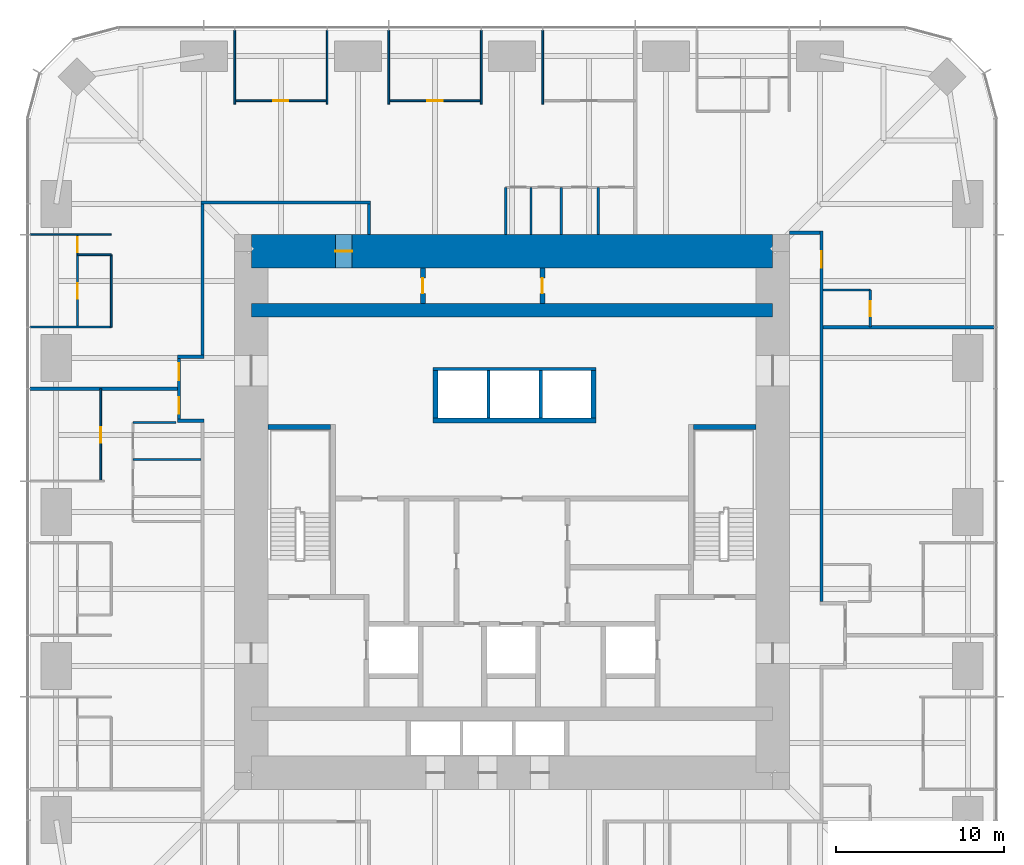
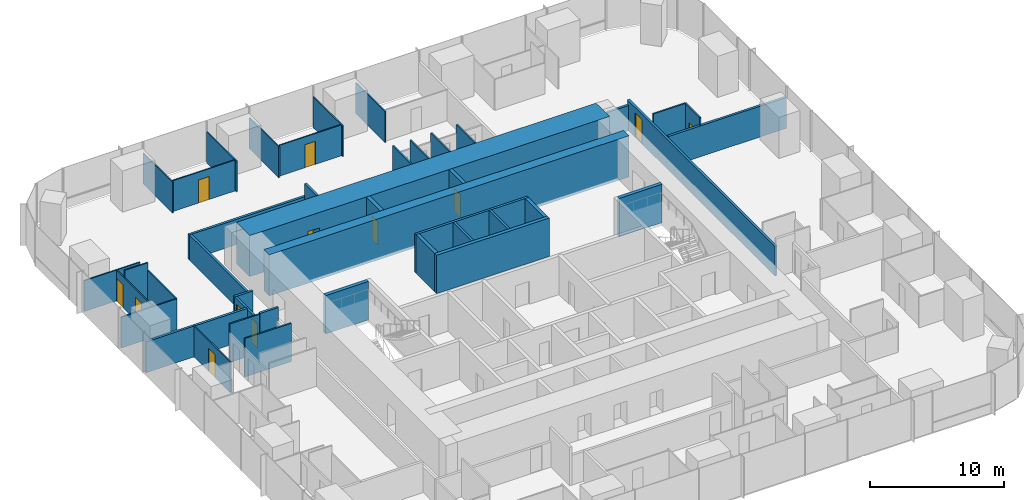
# One storey, part 11 of 13: 43 walls, 12 doors, 12 openings.
"""IFC4 building model written with IfcOpenShell, lengths in metres."""

from ifc_helpers import new_model, si_unit, direction, frame, frame_2d, origin, place, context, subcontext, project, spatial, rectangle, extrude, material, layer, layer_set, type_object, element, fill, save


model = new_model("IFC4")

# Units and contexts
model_context = context("Model", 3, precision=1e-05, world=origin(), true_north=direction((0.0, 1.0)))
body_context = subcontext(model_context, "Body", "Model", "MODEL_VIEW")
ifc_project = project(units=[si_unit("LENGTHUNIT", "METRE"), si_unit("AREAUNIT", "SQUARE_METRE"), si_unit("VOLUMEUNIT", "CUBIC_METRE"), si_unit("PLANEANGLEUNIT", "RADIAN"), si_unit("MASSUNIT", "GRAM", prefix="KILO")], contexts=[model_context])

# Site, building, storey
site_placement = place(None, origin())
site = spatial("IfcSite", under=ifc_project, at=site_placement, CompositionType="ELEMENT")
building_placement = place(site_placement, origin())
building = spatial("IfcBuilding", under=site, at=building_placement, Name="Khuree Lantern Residences", CompositionType="ELEMENT")
storey_placement = place(building_placement, frame((0.0, 0.0, 144.75)))
storey = spatial("IfcBuildingStorey", under=building, at=storey_placement, Name="L36", CompositionType="ELEMENT", Elevation=144.75)

# Wall, opening, door
ifc_material_1 = material(Name="Moisture-resistant gypsum board on steel studs", Category="steel")
ifc_layer_1 = layer(ifc_material_1, 0.125)
ifc_layer_set_1 = layer_set([ifc_layer_1], Name="BATHROOM WALL BTW125")
wall_type_1 = type_object("IfcWallType", Name="BATHROOM WALL BTW125", PredefinedType="PARTITIONING", material=ifc_layer_set_1)
wall_1_placement = place(storey_placement, frame((21.300048828125, 10.991943359375, 0.0), z_axis=(0.0, 0.0, 1.0), x_axis=(0.0, 1.0, 0.0)))
wall_1 = element("IfcWall", 1, at=wall_1_placement, inside=storey, type_object=wall_type_1, Name="L36 BATHROOM WALL 02", PredefinedType="PARTITIONING", context=body_context, shape_type="SweptSolid", body=[
    extrude(rectangle(XDim=2.199951171875, YDim=0.125, at=frame_2d((1.10009765625, 0.0))), origin(), (0.0, 0.0, 1.0), 3.5),
])
opening_1_placement = place(wall_1_placement, frame((0.64990234375, 0.0, 0.0)))
opening_1 = element("IfcOpeningElement", 2, at=opening_1_placement, cuts=wall_1, Name="Opening 36-028", PredefinedType="OPENING", context=body_context, shape_type="SweptSolid", body=[
    extrude(rectangle(XDim=0.89990234375, YDim=2.10009765625, at=frame_2d((0.449951171875, 1.050048828125))), frame((0.0, 0.072509765625, 0.0), z_axis=(0.0, -1.0, 0.0), x_axis=(1.0, 0.0, 0.0)), (0.0, 0.0, 1.0), 0.14501953125),
])
ifc_material_2 = material(Name="Timber door leaf in hardwood frame", Category="wood")
door_type_1 = type_object("IfcDoorType", Name="BATHROOM DOOR 900X2100", OperationType="SINGLE_SWING_LEFT", PredefinedType="DOOR", material=ifc_material_2)
door_1_placement = place(opening_1_placement, origin())
door_1 = element("IfcDoor", 3, at=door_1_placement, inside=storey, type_object=door_type_1, Name="Bathroom door 36-028", OperationType="SINGLE_SWING_LEFT", OverallHeight=2.10009765625, OverallWidth=0.89990234375, PredefinedType="DOOR", context=body_context, shape_type="SweptSolid", body=[
    extrude(rectangle(XDim=0.89990234375, YDim=2.10009765625, at=frame_2d((0.449951171875, 1.050048828125))), frame((0.0, 0.02490234375, 0.0), z_axis=(0.0, -1.0, 0.0), x_axis=(1.0, 0.0, 0.0)), (0.0, 0.0, 1.0), 0.050048828125),
])
fill(opening_1, door_1)

# Walls
for number, where, z_axis, x_axis, name in (
    (4, (18.5, 13.19189453125, 0.0), (0.0, 0.0, 1.0), (1.0, 0.0, 0.0), "L36 BATHROOM WALL 02"),
    (5, (5.1279296875, 16.5, 0.0), (0.0, 0.0, 1.0), (0.0, 1.0, 0.0), "L36 BATHROOM WALL 03"),
    (6, (2.927978515625, 16.5, 0.0), (0.0, 0.0, 1.0), (0.0, 1.0, 0.0), "L36 BATHROOM WALL 03"),
    (7, (1.1279296875, 16.5, 0.0), (0.0, 0.0, 1.0), (0.0, 1.0, 0.0), "L36 BATHROOM WALL 03"),
    (8, (-0.3720703125, 16.5, 0.0), (0.0, 0.0, 1.0), (0.0, 1.0, 0.0), "L36 BATHROOM WALL 03"),
):
    element("IfcWall", number, at=place(storey_placement, frame(where, z_axis=z_axis, x_axis=x_axis)), inside=storey, type_object=wall_type_1, Name=name, PredefinedType="PARTITIONING", context=body_context, shape_type="SweptSolid", body=[
        extrude(rectangle(XDim=2.800048828125, YDim=0.125, at=frame_2d((1.39990234375, 0.0))), origin(), (0.0, 0.0, 1.0), 3.5),
    ])
wall_2_placement = place(storey_placement, frame((-19.969970703125, 5.327880859375, 0.0), z_axis=(0.0, 0.0, 1.0), x_axis=(-1.0, 0.0, 0.0)))
element("IfcWall", 9, at=wall_2_placement, inside=storey, type_object=wall_type_1, Name="L36 BATHROOM WALL 04", PredefinedType="PARTITIONING", context=body_context, shape_type="SweptSolid", body=[
    extrude(rectangle(XDim=2.559814453125, YDim=0.125, at=frame_2d((1.27978515625, 0.0))), origin(), (0.0, 0.0, 1.0), 3.5),
])
wall_3_placement = place(storey_placement, frame((-18.5, 3.1279296875, 0.0), z_axis=(0.0, 0.0, 1.0), x_axis=(-1.0, 0.0, 0.0)))
element("IfcWall", 10, at=wall_3_placement, inside=storey, type_object=wall_type_1, Name="L36 BATHROOM WALL 04", PredefinedType="PARTITIONING", context=body_context, shape_type="SweptSolid", body=[
    extrude(rectangle(XDim=4.02978515625, YDim=0.125, at=frame_2d((2.014892578125, 0.0))), origin(), (0.0, 0.0, 1.0), 3.5),
])
ifc_material_3 = material(Name="Dense concrete blockwork", Category="masonry")
ifc_layer_2 = layer(ifc_material_3, 0.300048828125)
ifc_layer_set_2 = layer_set([ifc_layer_2], Name="CORE PARTITION WALL CPW300 EI 120")
wall_type_2 = type_object("IfcWallType", Name="CORE PARTITION WALL CPW300 EI 120", PredefinedType="PARTITIONING", material=ifc_layer_set_2)
wall_4_placement = place(storey_placement, frame((-4.699951171875, 5.449951171875, 0.0), z_axis=(0.0, 0.0, 1.0), x_axis=(1.0, 0.0, 0.0)))
element("IfcWall", 11, at=wall_4_placement, inside=storey, type_object=wall_type_2, Name="L36 CORE WALL PHS", PredefinedType="PARTITIONING", context=body_context, shape_type="SweptSolid", body=[
    extrude(rectangle(XDim=9.699951171875, YDim=0.300048828125, at=frame_2d((4.85009765625, 0.0))), origin(), (0.0, 0.0, 1.0), 3.5),
])
for number, where, z_axis, x_axis, name in (
    (12, (-4.550048828125, 5.60009765625, 0.0), (0.0, 0.0, 1.0), (0.0, 1.0, 0.0), "L36 CORE WALL PHW"),
    (13, (4.85009765625, 5.60009765625, 0.0), (0.0, 0.0, 1.0), (0.0, 1.0, 0.0), "L36 CORE WALL PHE"),
):
    element("IfcWall", number, at=place(storey_placement, frame(where, z_axis=z_axis, x_axis=x_axis)), inside=storey, type_object=wall_type_2, Name=name, PredefinedType="PARTITIONING", context=body_context, shape_type="SweptSolid", body=[
        extrude(rectangle(XDim=2.7998046875, YDim=0.300048828125, at=frame_2d((1.39990234375, 0.0))), origin(), (0.0, 0.0, 1.0), 3.5),
    ])

# Wall, opening, door
wall_5_placement = place(storey_placement, frame((-5.300048828125, 12.39990234375, 0.0), z_axis=(0.0, 0.0, 1.0), x_axis=(0.0, 1.0, 0.0)))
wall_5 = element("IfcWall", 14, at=wall_5_placement, inside=storey, type_object=wall_type_2, Name="L36 CORE WALL PLX", PredefinedType="PARTITIONING", context=body_context, shape_type="SweptSolid", body=[
    extrude(rectangle(XDim=2.10009765625, YDim=0.300048828125, at=frame_2d((1.050048828125, 0.0))), origin(), (0.0, 0.0, 1.0), 3.5),
])
opening_2_placement = place(wall_5_placement, frame((0.60009765625, 0.0, 0.0)))
opening_2 = element("IfcOpeningElement", 15, at=opening_2_placement, cuts=wall_5, Name="Opening 36-020", PredefinedType="OPENING", context=body_context, shape_type="SweptSolid", body=[
    extrude(rectangle(XDim=0.89990234375, YDim=2.10009765625, at=frame_2d((0.449951171875, 1.050048828125))), frame((0.0, 0.16015625, 0.0), z_axis=(0.0, -1.0, 0.0), x_axis=(1.0, 0.0, 0.0)), (0.0, 0.0, 1.0), 0.320068359375),
])
door_type_2 = type_object("IfcDoorType", Name="DOOR 900X2100", OperationType="SINGLE_SWING_LEFT", PredefinedType="DOOR", material=ifc_material_2)
door_2_placement = place(opening_2_placement, origin())
door_2 = element("IfcDoor", 16, at=door_2_placement, inside=storey, type_object=door_type_2, Name="Cleaner's store door 36-020", OperationType="SINGLE_SWING_LEFT", OverallHeight=2.10009765625, OverallWidth=0.89990234375, PredefinedType="DOOR", context=body_context, shape_type="SweptSolid", body=[
    extrude(rectangle(XDim=0.89990234375, YDim=2.10009765625, at=frame_2d((0.449951171875, 1.050048828125))), frame((0.0, 0.02490234375, 0.0), z_axis=(0.0, -1.0, 0.0), x_axis=(1.0, 0.0, 0.0)), (0.0, 0.0, 1.0), 0.050048828125),
])
fill(opening_2, door_2)

wall_6_placement = place(storey_placement, frame((1.800048828125, 12.39990234375, 0.0), z_axis=(0.0, 0.0, 1.0), x_axis=(0.0, 1.0, 0.0)))
wall_6 = element("IfcWall", 17, at=wall_6_placement, inside=storey, type_object=wall_type_2, Name="L36 CORE WALL PLY", PredefinedType="PARTITIONING", context=body_context, shape_type="SweptSolid", body=[
    extrude(rectangle(XDim=2.10009765625, YDim=0.300048828125, at=frame_2d((1.050048828125, 0.0))), origin(), (0.0, 0.0, 1.0), 3.5),
])
opening_3_placement = place(wall_6_placement, frame((0.60009765625, 0.0, 0.0)))
opening_3 = element("IfcOpeningElement", 18, at=opening_3_placement, cuts=wall_6, Name="Opening 36-021", PredefinedType="OPENING", context=body_context, shape_type="SweptSolid", body=[
    extrude(rectangle(XDim=0.89990234375, YDim=2.10009765625, at=frame_2d((0.449951171875, 1.050048828125))), frame((0.0, 0.16015625, 0.0), z_axis=(0.0, -1.0, 0.0), x_axis=(1.0, 0.0, 0.0)), (0.0, 0.0, 1.0), 0.320068359375),
])
door_3_placement = place(opening_3_placement, origin())
door_3 = element("IfcDoor", 19, at=door_3_placement, inside=storey, type_object=door_type_2, Name="Spares store door 36-021", OperationType="SINGLE_SWING_LEFT", OverallHeight=2.10009765625, OverallWidth=0.89990234375, PredefinedType="DOOR", context=body_context, shape_type="SweptSolid", body=[
    extrude(rectangle(XDim=0.89990234375, YDim=2.10009765625, at=frame_2d((0.449951171875, 1.050048828125))), frame((0.0, 0.02490234375, 0.0), z_axis=(0.0, -1.0, 0.0), x_axis=(1.0, 0.0, 0.0)), (0.0, 0.0, 1.0), 0.050048828125),
])
fill(opening_3, door_3)

# Walls
ifc_material_4 = material(Name="Gypsum board on steel studs", Category="steel")
ifc_layer_3 = layer(ifc_material_4, 0.199951171875)
ifc_layer_set_3 = layer_set([ifc_layer_3], Name="CORRIDOR WALL CRW200 EI 60")
wall_type_3 = type_object("IfcWallType", Name="CORRIDOR WALL CRW200 EI 60", PredefinedType="PARTITIONING", material=ifc_layer_set_3)
wall_7_placement = place(storey_placement, frame((16.5, 16.60009765625, 0.0), z_axis=(0.0, 0.0, 1.0), x_axis=(1.0, 0.0, 0.0)))
element("IfcWall", 20, at=wall_7_placement, inside=storey, type_object=wall_type_3, Name="L36 EAST CORRIDOR NORTH END WALL", PredefinedType="PARTITIONING", context=body_context, shape_type="SweptSolid", body=[
    extrude(rectangle(XDim=1.800048828125, YDim=0.199951171875, at=frame_2d((0.89990234375, 0.0))), origin(), (0.0, 0.0, 1.0), 2.300048828125),
])
wall_8_placement = place(storey_placement, frame((-18.5, 18.39990234375, 0.0), z_axis=(0.0, 0.0, 1.0), x_axis=(1.0, 0.0, 0.0)))
element("IfcWall", 21, at=wall_8_placement, inside=storey, type_object=wall_type_3, Name="L36 CORRIDOR WALL NORTH", PredefinedType="PARTITIONING", context=body_context, shape_type="SweptSolid", body=[
    extrude(rectangle(XDim=10.10009765625, YDim=0.199951171875, at=frame_2d((5.050048828125, 0.0))), origin(), (0.0, 0.0, 1.0), 2.300048828125),
])
wall_9_placement = place(storey_placement, frame((-8.5, 18.300048828125, 0.0), z_axis=(0.0, 0.0, 1.0), x_axis=(0.0, -1.0, 0.0)))
element("IfcWall", 22, at=wall_9_placement, inside=storey, type_object=wall_type_3, Name="L36 NORTH CORRIDOR END WALL", PredefinedType="PARTITIONING", context=body_context, shape_type="SweptSolid", body=[
    extrude(rectangle(XDim=1.800048828125, YDim=0.199951171875, at=frame_2d((0.89990234375, 0.0))), origin(), (0.0, 0.0, 1.0), 3.5),
])

# Wall, opening, door
wall_10_placement = place(storey_placement, frame((18.39990234375, -5.327880859375, 0.0), z_axis=(0.0, 0.0, 1.0), x_axis=(0.0, 1.0, 0.0)))
wall_10 = element("IfcWall", 23, at=wall_10_placement, inside=storey, type_object=wall_type_3, Name="L36 CORRIDOR WALL EAST 2", PredefinedType="PARTITIONING", context=body_context, shape_type="SweptSolid", body=[
    extrude(rectangle(XDim=22.02783203125, YDim=0.199951171875, at=frame_2d((11.013916015625, 0.0))), origin(), (0.0, 0.0, 1.0), 2.699951171875),
])
opening_4_placement = place(wall_10_placement, frame((19.840087890625, 0.0, 0.0)))
opening_4 = element("IfcOpeningElement", 24, at=opening_4_placement, cuts=wall_10, Name="Opening 36-029", PredefinedType="OPENING", context=body_context, shape_type="SweptSolid", body=[
    extrude(rectangle(XDim=1.0, YDim=2.199951171875, at=frame_2d((0.5, 1.10009765625))), frame((0.0, 0.10986328125, 0.0), z_axis=(0.0, -1.0, 0.0), x_axis=(1.0, 0.0, 0.0)), (0.0, 0.0, 1.0), 0.219970703125),
])
door_type_3 = type_object("IfcDoorType", Name="APARTMENT ENTRANCE DOOR 1000X2200 EI 30S RIGHT HAND", OperationType="SINGLE_SWING_RIGHT", PredefinedType="DOOR", material=ifc_material_2)
door_4_placement = place(opening_4_placement, origin())
door_4 = element("IfcDoor", 25, at=door_4_placement, inside=storey, type_object=door_type_3, Name="Apartment 02 entrance door 36-029", OperationType="SINGLE_SWING_RIGHT", OverallHeight=2.199951171875, OverallWidth=1.0, PredefinedType="DOOR", context=body_context, shape_type="SweptSolid", body=[
    extrude(rectangle(XDim=1.0, YDim=2.199951171875, at=frame_2d((0.5, 1.10009765625))), frame((0.0, 0.02490234375, 0.0), z_axis=(0.0, -1.0, 0.0), x_axis=(1.0, 0.0, 0.0)), (0.0, 0.0, 1.0), 0.050048828125),
])
fill(opening_4, door_4)

# Walls
wall_11_placement = place(storey_placement, frame((-18.39990234375, 18.300048828125, 0.0), z_axis=(0.0, 0.0, 1.0), x_axis=(0.0, -1.0, 0.0)))
element("IfcWall", 26, at=wall_11_placement, inside=storey, type_object=wall_type_3, Name="L36 CORRIDOR WALL WEST 1", PredefinedType="PARTITIONING", context=body_context, shape_type="SweptSolid", body=[
    extrude(rectangle(XDim=8.97216796875, YDim=0.199951171875, at=frame_2d((4.486083984375, 0.0))), origin(), (0.0, 0.0, 1.0), 2.300048828125),
])
wall_12_placement = place(storey_placement, frame((-18.300048828125, 9.22802734375, 0.0), z_axis=(0.0, 0.0, 1.0), x_axis=(-1.0, 0.0, 0.0)))
element("IfcWall", 27, at=wall_12_placement, inside=storey, type_object=wall_type_3, Name="L36 CORRIDOR ALCOVE WALL WEST", PredefinedType="PARTITIONING", context=body_context, shape_type="SweptSolid", body=[
    extrude(rectangle(XDim=1.599853515625, YDim=0.199951171875, at=frame_2d((0.7998046875, 0.0))), origin(), (0.0, 0.0, 1.0), 2.699951171875),
])
wall_13_placement = place(storey_placement, frame((-18.300048828125, 5.427978515625, 0.0), z_axis=(0.0, 0.0, 1.0), x_axis=(-1.0, 0.0, 0.0)))
element("IfcWall", 28, at=wall_13_placement, inside=storey, type_object=wall_type_3, Name="L36 CORRIDOR ALCOVE WALL WEST", PredefinedType="PARTITIONING", context=body_context, shape_type="SweptSolid", body=[
    extrude(rectangle(XDim=1.599853515625, YDim=0.199951171875, at=frame_2d((0.7998046875, 0.0))), origin(), (0.0, 0.0, 1.0), 3.5),
])

# Wall, openings, doors
wall_14_placement = place(storey_placement, frame((-19.800048828125, 9.1279296875, 0.0), z_axis=(0.0, 0.0, 1.0), x_axis=(0.0, -1.0, 0.0)))
wall_14 = element("IfcWall", 29, at=wall_14_placement, inside=storey, type_object=wall_type_3, Name="L36 CORRIDOR ALCOVE WALL WEST", PredefinedType="PARTITIONING", context=body_context, shape_type="SweptSolid", body=[
    extrude(rectangle(XDim=3.599853515625, YDim=0.199951171875, at=frame_2d((1.7998046875, 0.0))), origin(), (0.0, 0.0, 1.0), 2.699951171875),
])
opening_5_placement = place(wall_14_placement, frame((0.300048828125, 0.0, 0.0)))
opening_5 = element("IfcOpeningElement", 30, at=opening_5_placement, cuts=wall_14, Name="Opening 36-039", PredefinedType="OPENING", context=body_context, shape_type="SweptSolid", body=[
    extrude(rectangle(XDim=1.0, YDim=2.199951171875, at=frame_2d((0.5, 1.10009765625))), frame((0.0, 0.10986328125, 0.0), z_axis=(0.0, -1.0, 0.0), x_axis=(1.0, 0.0, 0.0)), (0.0, 0.0, 1.0), 0.219970703125),
])
opening_6_placement = place(wall_14_placement, frame((2.300048828125, 0.0, 0.0)))
opening_6 = element("IfcOpeningElement", 31, at=opening_6_placement, cuts=wall_14, Name="Opening 36-048", PredefinedType="OPENING", context=body_context, shape_type="SweptSolid", body=[
    extrude(rectangle(XDim=1.0, YDim=2.199951171875, at=frame_2d((0.5, 1.10009765625))), frame((0.0, 0.10986328125, 0.0), z_axis=(0.0, -1.0, 0.0), x_axis=(1.0, 0.0, 0.0)), (0.0, 0.0, 1.0), 0.219970703125),
])
door_type_4 = type_object("IfcDoorType", Name="APARTMENT ENTRANCE DOOR 1000X2200 EI 30S", OperationType="SINGLE_SWING_LEFT", PredefinedType="DOOR", material=ifc_material_2)
door_5_placement = place(opening_5_placement, origin())
door_5 = element("IfcDoor", 32, at=door_5_placement, inside=storey, type_object=door_type_4, Name="Apartment 03 entrance door 36-039", OperationType="SINGLE_SWING_LEFT", OverallHeight=2.199951171875, OverallWidth=1.0, PredefinedType="DOOR", context=body_context, shape_type="SweptSolid", body=[
    extrude(rectangle(XDim=1.0, YDim=2.199951171875, at=frame_2d((0.5, 1.10009765625))), frame((0.0, 0.02490234375, 0.0), z_axis=(0.0, -1.0, 0.0), x_axis=(1.0, 0.0, 0.0)), (0.0, 0.0, 1.0), 0.050048828125),
])
fill(opening_5, door_5)
door_6_placement = place(opening_6_placement, origin())
door_6 = element("IfcDoor", 33, at=door_6_placement, inside=storey, type_object=door_type_3, Name="Apartment 04 entrance door 36-048", OperationType="SINGLE_SWING_RIGHT", OverallHeight=2.199951171875, OverallWidth=1.0, PredefinedType="DOOR", context=body_context, shape_type="SweptSolid", body=[
    extrude(rectangle(XDim=1.0, YDim=2.199951171875, at=frame_2d((0.5, 1.10009765625))), frame((0.0, 0.02490234375, 0.0), z_axis=(0.0, -1.0, 0.0), x_axis=(1.0, 0.0, 0.0)), (0.0, 0.0, 1.0), 0.050048828125),
])
fill(opening_6, door_6)

# Wall, opening, door
ifc_material_5 = material(Name="Concrete C70/85", Category="concrete")
ifc_layer_4 = layer(ifc_material_5, 2.0)
ifc_layer_set_4 = layer_set([ifc_layer_4], Name="CW2000-C70 CORE WALL C70 2000")
wall_type_4 = type_object("IfcWallType", Name="CW2000-C70 CORE WALL C70 2000", PredefinedType="SHEAR", material=ifc_layer_set_4)
wall_15_placement = place(storey_placement, frame((-15.5, 15.5, -0.25), z_axis=(0.0, 0.0, 1.0), x_axis=(1.0, 0.0, 0.0)))
wall_15 = element("IfcWall", 34, at=wall_15_placement, inside=storey, type_object=wall_type_4, Name="Core wall N", PredefinedType="SHEAR", context=body_context, shape_type="SweptSolid", body=[
    extrude(rectangle(XDim=31.0, YDim=2.0, at=frame_2d((15.5, 0.0))), origin(), (0.0, 0.0, 1.0), 3.75),
])
opening_7_placement = place(wall_15_placement, frame((5.0, 0.0, 0.25)))
opening_7 = element("IfcOpeningElement", 35, at=opening_7_placement, cuts=wall_15, Name="Opening 36-022", PredefinedType="OPENING", context=body_context, shape_type="SweptSolid", body=[
    extrude(rectangle(XDim=1.0, YDim=2.10009765625, at=frame_2d((0.5, 1.050048828125))), frame((0.0, 1.010009765625, 0.0), z_axis=(0.0, -1.0, 0.0), x_axis=(1.0, 0.0, 0.0)), (0.0, 0.0, 1.0), 2.02001953125),
])
ifc_material_6 = material(Name="Steel door leaf in steel frame", Category="steel")
door_type_5 = type_object("IfcDoorType", Name="DOOR 1000X2100 EI 60 RIGHT HAND", OperationType="SINGLE_SWING_RIGHT", PredefinedType="DOOR", material=ifc_material_6)
door_7_placement = place(opening_7_placement, origin())
door_7 = element("IfcDoor", 36, at=door_7_placement, inside=storey, type_object=door_type_5, Name="Residents' store door 36-022", OperationType="SINGLE_SWING_RIGHT", OverallHeight=2.10009765625, OverallWidth=1.0, PredefinedType="DOOR", context=body_context, shape_type="SweptSolid", body=[
    extrude(rectangle(XDim=1.0, YDim=2.10009765625, at=frame_2d((0.5, 1.050048828125))), frame((0.0, 0.02490234375, 0.0), z_axis=(0.0, -1.0, 0.0), x_axis=(1.0, 0.0, 0.0)), (0.0, 0.0, 1.0), 0.050048828125),
])
fill(opening_7, door_7)

# Walls
ifc_layer_5 = layer(ifc_material_4, 0.199951171875)
ifc_layer_set_5 = layer_set([ifc_layer_5], Name="DEMISING WALL DMW200 EI 90")
wall_type_5 = type_object("IfcWallType", Name="DEMISING WALL DMW200 EI 90", PredefinedType="PARTITIONING", material=ifc_layer_set_5)
wall_16_placement = place(storey_placement, frame((18.5, 10.991943359375, 0.0), z_axis=(0.0, 0.0, 1.0), x_axis=(1.0, 0.0, 0.0)))
element("IfcWall", 37, at=wall_16_placement, inside=storey, type_object=wall_type_5, Name="L36 DEMISING WALL 02", PredefinedType="PARTITIONING", context=body_context, shape_type="SweptSolid", body=[
    extrude(rectangle(XDim=10.14990234375, YDim=0.199951171875, at=frame_2d((5.074951171875, 0.0))), origin(), (0.0, 0.0, 1.0), 2.81005859375),
])
wall_17_placement = place(storey_placement, frame((-19.89990234375, 7.327880859375, 0.0), z_axis=(0.0, 0.0, 1.0), x_axis=(-1.0, 0.0, 0.0)))
element("IfcWall", 38, at=wall_17_placement, inside=storey, type_object=wall_type_5, Name="L36 DEMISING WALL 04", PredefinedType="PARTITIONING", context=body_context, shape_type="SweptSolid", body=[
    extrude(rectangle(XDim=8.75, YDim=0.199951171875, at=frame_2d((4.375, 0.0))), origin(), (0.0, 0.0, 1.0), 2.81005859375),
])
ifc_layer_6 = layer(ifc_material_4, 0.10009765625)
ifc_layer_set_6 = layer_set([ifc_layer_6], Name="PARTITION PT100")
wall_type_6 = type_object("IfcWallType", Name="PARTITION PT100", PredefinedType="PARTITIONING", material=ifc_layer_set_6)
for number, where, z_axis, x_axis, name in (
    (39, (1.83203125, 24.25, 0.0), (0.0, 0.0, 1.0), (0.0, 1.0, 0.0), "L36 PARTITION 03"),
    (40, (-1.83203125, 24.25, 0.0), (0.0, 0.0, 1.0), (0.0, 1.0, 0.0), "L36 PARTITION 03"),
    (41, (-7.327880859375, 24.25, 0.0), (0.0, 0.0, 1.0), (0.0, 1.0, 0.0), "L36 PARTITION 03"),
    (42, (-10.991943359375, 24.25, 0.0), (0.0, 0.0, 1.0), (0.0, 1.0, 0.0), "L36 PARTITION 03"),
    (43, (-16.488037109375, 24.25, 0.0), (0.0, 0.0, 1.0), (0.0, 1.0, 0.0), "L36 PARTITION 03"),
):
    element("IfcWall", number, at=place(storey_placement, frame(where, z_axis=z_axis, x_axis=x_axis)), inside=storey, type_object=wall_type_6, Name=name, PredefinedType="PARTITIONING", context=body_context, shape_type="SweptSolid", body=[
        extrude(rectangle(XDim=4.39990234375, YDim=0.10009765625, at=frame_2d((2.199951171875, 0.0))), origin(), (0.0, 0.0, 1.0), 2.81005859375),
    ])
for number, where, z_axis, x_axis, name in (
    (44, (-23.829833984375, 16.488037109375, 0.0), (0.0, 0.0, 1.0), (-1.0, 0.0, 0.0), "L36 PARTITION 03"),
    (45, (-23.829833984375, 10.991943359375, 0.0), (0.0, 0.0, 1.0), (-1.0, 0.0, 0.0), "L36 PARTITION 03"),
):
    element("IfcWall", number, at=place(storey_placement, frame(where, z_axis=z_axis, x_axis=x_axis)), inside=storey, type_object=wall_type_6, Name=name, PredefinedType="PARTITIONING", context=body_context, shape_type="SweptSolid", body=[
        extrude(rectangle(XDim=4.820068359375, YDim=0.10009765625, at=frame_2d((2.41015625, 0.0))), origin(), (0.0, 0.0, 1.0), 2.81005859375),
    ])

# Wall, opening, door
wall_18_placement = place(storey_placement, frame((-1.83203125, 24.449951171875, 0.0), z_axis=(0.0, 0.0, 1.0), x_axis=(-1.0, 0.0, 0.0)))
wall_18 = element("IfcWall", 46, at=wall_18_placement, inside=storey, type_object=wall_type_6, Name="L36 PARTITION 03", PredefinedType="PARTITIONING", context=body_context, shape_type="SweptSolid", body=[
    extrude(rectangle(XDim=5.495849609375, YDim=0.10009765625, at=frame_2d((2.748046875, 0.0))), origin(), (0.0, 0.0, 1.0), 2.81005859375),
])
opening_8_placement = place(wall_18_placement, frame((2.298095703125, 0.0, 0.0)))
opening_8 = element("IfcOpeningElement", 47, at=opening_8_placement, cuts=wall_18, Name="Opening 36-031", PredefinedType="OPENING", context=body_context, shape_type="SweptSolid", body=[
    extrude(rectangle(XDim=0.89990234375, YDim=2.10009765625, at=frame_2d((0.449951171875, 1.050048828125))), frame((0.0, 0.06005859375, 0.0), z_axis=(0.0, -1.0, 0.0), x_axis=(1.0, 0.0, 0.0)), (0.0, 0.0, 1.0), 0.1201171875),
])
door_type_6 = type_object("IfcDoorType", Name="BEDROOM DOOR 900X2100", OperationType="SINGLE_SWING_LEFT", PredefinedType="DOOR", material=ifc_material_2)
door_8_placement = place(opening_8_placement, origin())
door_8 = element("IfcDoor", 48, at=door_8_placement, inside=storey, type_object=door_type_6, Name="Bedroom door 36-031", OperationType="SINGLE_SWING_LEFT", OverallHeight=2.10009765625, OverallWidth=0.89990234375, PredefinedType="DOOR", context=body_context, shape_type="SweptSolid", body=[
    extrude(rectangle(XDim=0.89990234375, YDim=2.10009765625, at=frame_2d((0.449951171875, 1.050048828125))), frame((0.0, 0.02490234375, 0.0), z_axis=(0.0, -1.0, 0.0), x_axis=(1.0, 0.0, 0.0)), (0.0, 0.0, 1.0), 0.050048828125),
])
fill(opening_8, door_8)

wall_19_placement = place(storey_placement, frame((-10.991943359375, 24.449951171875, 0.0), z_axis=(0.0, 0.0, 1.0), x_axis=(-1.0, 0.0, 0.0)))
wall_19 = element("IfcWall", 49, at=wall_19_placement, inside=storey, type_object=wall_type_6, Name="L36 PARTITION 03", PredefinedType="PARTITIONING", context=body_context, shape_type="SweptSolid", body=[
    extrude(rectangle(XDim=5.49609375, YDim=0.10009765625, at=frame_2d((2.748046875, 0.0))), origin(), (0.0, 0.0, 1.0), 2.81005859375),
])
opening_9_placement = place(wall_19_placement, frame((2.298095703125, 0.0, 0.0)))
opening_9 = element("IfcOpeningElement", 50, at=opening_9_placement, cuts=wall_19, Name="Opening 36-032", PredefinedType="OPENING", context=body_context, shape_type="SweptSolid", body=[
    extrude(rectangle(XDim=0.89990234375, YDim=2.10009765625, at=frame_2d((0.449951171875, 1.050048828125))), frame((0.0, 0.06005859375, 0.0), z_axis=(0.0, -1.0, 0.0), x_axis=(1.0, 0.0, 0.0)), (0.0, 0.0, 1.0), 0.1201171875),
])
door_9_placement = place(opening_9_placement, origin())
door_9 = element("IfcDoor", 51, at=door_9_placement, inside=storey, type_object=door_type_6, Name="Bedroom door 36-032", OperationType="SINGLE_SWING_LEFT", OverallHeight=2.10009765625, OverallWidth=0.89990234375, PredefinedType="DOOR", context=body_context, shape_type="SweptSolid", body=[
    extrude(rectangle(XDim=0.89990234375, YDim=2.10009765625, at=frame_2d((0.449951171875, 1.050048828125))), frame((0.0, 0.02490234375, 0.0), z_axis=(0.0, -1.0, 0.0), x_axis=(1.0, 0.0, 0.0)), (0.0, 0.0, 1.0), 0.050048828125),
])
fill(opening_9, door_9)

# Wall, openings, doors
wall_20_placement = place(storey_placement, frame((-25.829833984375, 16.488037109375, 0.0), z_axis=(0.0, 0.0, 1.0), x_axis=(0.0, -1.0, 0.0)))
wall_20 = element("IfcWall", 52, at=wall_20_placement, inside=storey, type_object=wall_type_6, Name="L36 PARTITION 03", PredefinedType="PARTITIONING", context=body_context, shape_type="SweptSolid", body=[
    extrude(rectangle(XDim=5.49609375, YDim=0.10009765625, at=frame_2d((2.748046875, 0.0))), origin(), (0.0, 0.0, 1.0), 2.81005859375),
])
opening_10_placement = place(wall_20_placement, frame((0.14990234375, 0.0, 0.0)))
opening_10 = element("IfcOpeningElement", 53, at=opening_10_placement, cuts=wall_20, Name="Opening 36-033", PredefinedType="OPENING", context=body_context, shape_type="SweptSolid", body=[
    extrude(rectangle(XDim=0.89990234375, YDim=2.10009765625, at=frame_2d((0.449951171875, 1.050048828125))), frame((0.0, 0.06005859375, 0.0), z_axis=(0.0, -1.0, 0.0), x_axis=(1.0, 0.0, 0.0)), (0.0, 0.0, 1.0), 0.1201171875),
])
opening_11_placement = place(wall_20_placement, frame((2.89794921875, 0.0, 0.0)))
opening_11 = element("IfcOpeningElement", 54, at=opening_11_placement, cuts=wall_20, Name="Opening 36-034", PredefinedType="OPENING", context=body_context, shape_type="SweptSolid", body=[
    extrude(rectangle(XDim=0.89990234375, YDim=2.10009765625, at=frame_2d((0.449951171875, 1.050048828125))), frame((0.0, 0.06005859375, 0.0), z_axis=(0.0, -1.0, 0.0), x_axis=(1.0, 0.0, 0.0)), (0.0, 0.0, 1.0), 0.1201171875),
])
door_10_placement = place(opening_10_placement, origin())
door_10 = element("IfcDoor", 55, at=door_10_placement, inside=storey, type_object=door_type_6, Name="Bedroom door 36-033", OperationType="SINGLE_SWING_LEFT", OverallHeight=2.10009765625, OverallWidth=0.89990234375, PredefinedType="DOOR", context=body_context, shape_type="SweptSolid", body=[
    extrude(rectangle(XDim=0.89990234375, YDim=2.10009765625, at=frame_2d((0.449951171875, 1.050048828125))), frame((0.0, 0.02490234375, 0.0), z_axis=(0.0, -1.0, 0.0), x_axis=(1.0, 0.0, 0.0)), (0.0, 0.0, 1.0), 0.050048828125),
])
fill(opening_10, door_10)
door_11_placement = place(opening_11_placement, origin())
door_11 = element("IfcDoor", 56, at=door_11_placement, inside=storey, type_object=door_type_2, Name="Wardrobe door 36-034", OperationType="SINGLE_SWING_LEFT", OverallHeight=2.10009765625, OverallWidth=0.89990234375, PredefinedType="DOOR", context=body_context, shape_type="SweptSolid", body=[
    extrude(rectangle(XDim=0.89990234375, YDim=2.10009765625, at=frame_2d((0.449951171875, 1.050048828125))), frame((0.0, 0.02490234375, 0.0), z_axis=(0.0, -1.0, 0.0), x_axis=(1.0, 0.0, 0.0)), (0.0, 0.0, 1.0), 0.050048828125),
])
fill(opening_11, door_11)

# Walls
wall_21_placement = place(storey_placement, frame((-23.829833984375, 15.2880859375, 0.0), z_axis=(0.0, 0.0, 1.0), x_axis=(-1.0, 0.0, 0.0)))
element("IfcWall", 57, at=wall_21_placement, inside=storey, type_object=wall_type_6, Name="L36 PARTITION 03", PredefinedType="PARTITIONING", context=body_context, shape_type="SweptSolid", body=[
    extrude(rectangle(XDim=2.0, YDim=0.10009765625, at=frame_2d((1.0, 0.0))), origin(), (0.0, 0.0, 1.0), 3.5),
])
wall_22_placement = place(storey_placement, frame((-23.829833984375, 15.2880859375, 0.0), z_axis=(0.0, 0.0, 1.0), x_axis=(0.0, -1.0, 0.0)))
element("IfcWall", 58, at=wall_22_placement, inside=storey, type_object=wall_type_6, Name="L36 PARTITION 03", PredefinedType="PARTITIONING", context=body_context, shape_type="SweptSolid", body=[
    extrude(rectangle(XDim=4.296142578125, YDim=0.10009765625, at=frame_2d((2.14794921875, 0.0))), origin(), (0.0, 0.0, 1.0), 2.81005859375),
])

# Wall, opening, door
wall_23_placement = place(storey_placement, frame((-24.449951171875, 7.327880859375, 0.0), z_axis=(0.0, 0.0, 1.0), x_axis=(0.0, -1.0, 0.0)))
wall_23 = element("IfcWall", 59, at=wall_23_placement, inside=storey, type_object=wall_type_6, Name="L36 PARTITION 04", PredefinedType="PARTITIONING", context=body_context, shape_type="SweptSolid", body=[
    extrude(rectangle(XDim=5.495849609375, YDim=0.10009765625, at=frame_2d((2.748046875, 0.0))), origin(), (0.0, 0.0, 1.0), 2.81005859375),
])
opening_12_placement = place(wall_23_placement, frame((2.298095703125, 0.0, 0.0)))
opening_12 = element("IfcOpeningElement", 60, at=opening_12_placement, cuts=wall_23, Name="Opening 36-040", PredefinedType="OPENING", context=body_context, shape_type="SweptSolid", body=[
    extrude(rectangle(XDim=0.89990234375, YDim=2.10009765625, at=frame_2d((0.449951171875, 1.050048828125))), frame((0.0, 0.06005859375, 0.0), z_axis=(0.0, -1.0, 0.0), x_axis=(1.0, 0.0, 0.0)), (0.0, 0.0, 1.0), 0.1201171875),
])
door_12_placement = place(opening_12_placement, origin())
door_12 = element("IfcDoor", 61, at=door_12_placement, inside=storey, type_object=door_type_6, Name="Bedroom door 36-040", OperationType="SINGLE_SWING_LEFT", OverallHeight=2.10009765625, OverallWidth=0.89990234375, PredefinedType="DOOR", context=body_context, shape_type="SweptSolid", body=[
    extrude(rectangle(XDim=0.89990234375, YDim=2.10009765625, at=frame_2d((0.449951171875, 1.050048828125))), frame((0.0, 0.02490234375, 0.0), z_axis=(0.0, -1.0, 0.0), x_axis=(1.0, 0.0, 0.0)), (0.0, 0.0, 1.0), 0.050048828125),
])
fill(opening_12, door_12)

# Walls
ifc_layer_7 = layer(ifc_material_3, 0.199951171875)
ifc_layer_set_7 = layer_set([ifc_layer_7], Name="SHAFT WALL SHW200 EI 120")
wall_type_7 = type_object("IfcWallType", Name="SHAFT WALL SHW200 EI 120", PredefinedType="PARTITIONING", material=ifc_layer_set_7)
wall_24_placement = place(storey_placement, frame((-4.699951171875, 8.5, 0.0), z_axis=(0.0, 0.0, 1.0), x_axis=(1.0, 0.0, 0.0)))
element("IfcWall", 62, at=wall_24_placement, inside=storey, type_object=wall_type_7, Name="L36 CORE WALL PHN", PredefinedType="PARTITIONING", context=body_context, shape_type="SweptSolid", body=[
    extrude(rectangle(XDim=9.699951171875, YDim=0.199951171875, at=frame_2d((4.85009765625, 0.0))), origin(), (0.0, 0.0, 1.0), 3.5),
])
for number, where, z_axis, x_axis, name in (
    (63, (-1.39990234375, 5.60009765625, 0.0), (0.0, 0.0, 1.0), (0.0, 1.0, 0.0), "L36 CORE WALL PHD1"),
    (64, (1.699951171875, 5.60009765625, 0.0), (0.0, 0.0, 1.0), (0.0, 1.0, 0.0), "L36 CORE WALL PHD2"),
):
    element("IfcWall", number, at=place(storey_placement, frame(where, z_axis=z_axis, x_axis=x_axis)), inside=storey, type_object=wall_type_7, Name=name, PredefinedType="PARTITIONING", context=body_context, shape_type="SweptSolid", body=[
        extrude(rectangle(XDim=2.7998046875, YDim=0.199951171875, at=frame_2d((1.39990234375, 0.0))), origin(), (0.0, 0.0, 1.0), 3.5),
    ])
ifc_layer_8 = layer(ifc_material_5, 0.800048828125)
ifc_layer_set_8 = layer_set([ifc_layer_8], Name="SP800-C70 CORE SPINE WALL C70 800")
wall_type_8 = type_object("IfcWallType", Name="SP800-C70 CORE SPINE WALL C70 800", PredefinedType="SHEAR", material=ifc_layer_set_8)
wall_25_placement = place(storey_placement, frame((-15.5, 12.0, -0.25), z_axis=(0.0, 0.0, 1.0), x_axis=(1.0, 0.0, 0.0)))
element("IfcWall", 65, at=wall_25_placement, inside=storey, type_object=wall_type_8, Name="Core wall SPN", PredefinedType="SHEAR", context=body_context, shape_type="SweptSolid", body=[
    extrude(rectangle(XDim=31.0, YDim=0.800048828125, at=frame_2d((15.5, 0.0))), origin(), (0.0, 0.0, 1.0), 3.75),
])
ifc_material_7 = material(Name="Concrete C50/60", Category="concrete")
ifc_layer_9 = layer(ifc_material_7, 0.300048828125)
ifc_layer_set_9 = layer_set([ifc_layer_9], Name="STAIR WALL SRW300 C50/60 REI 240")
wall_type_9 = type_object("IfcWallType", Name="STAIR WALL SRW300 C50/60 REI 240", PredefinedType="SOLIDWALL", material=ifc_layer_set_9)
for number, where, z_axis, x_axis, name in (
    (66, (-14.5, 5.050048828125, 0.0), (0.0, 0.0, 1.0), (1.0, 0.0, 0.0), "L36 STAIR WALL ST1N"),
    (67, (14.5, 5.050048828125, 0.0), (0.0, 0.0, 1.0), (-1.0, 0.0, 0.0), "L36 STAIR WALL ST2N"),
):
    element("IfcWall", number, at=place(storey_placement, frame(where, z_axis=z_axis, x_axis=x_axis)), inside=storey, type_object=wall_type_9, Name=name, PredefinedType="SOLIDWALL", context=body_context, shape_type="SweptSolid", body=[
        extrude(rectangle(XDim=3.699951171875, YDim=0.300048828125, at=frame_2d((1.85009765625, 0.0))), origin(), (0.0, 0.0, 1.0), 3.5),
    ])

save(model, "model.ifc")
